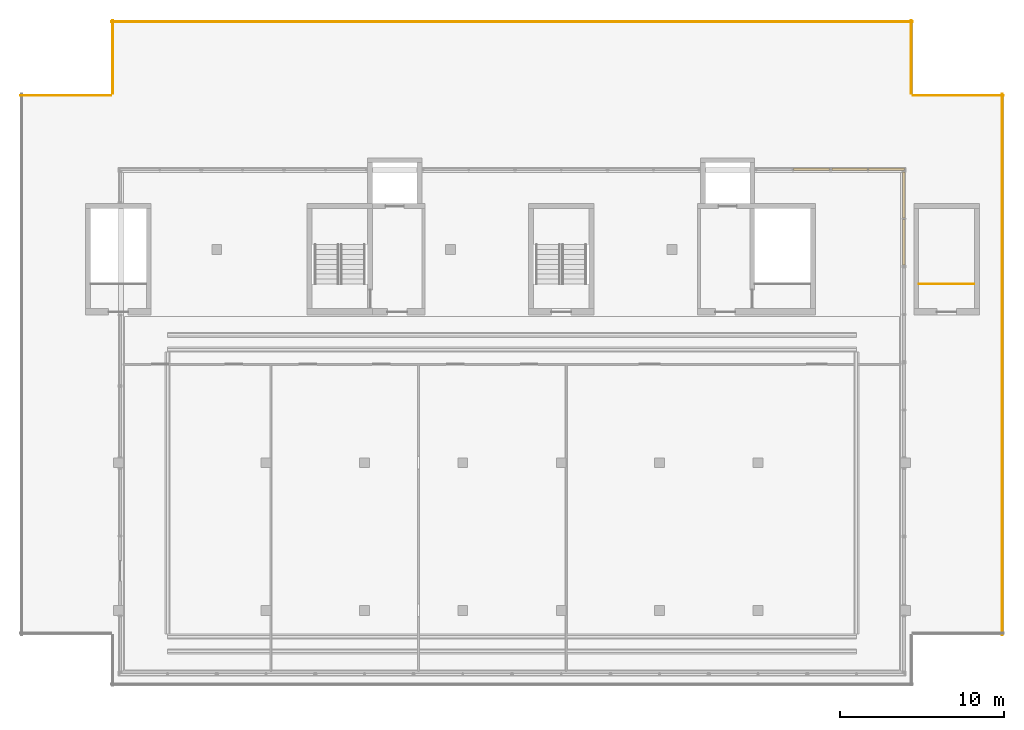
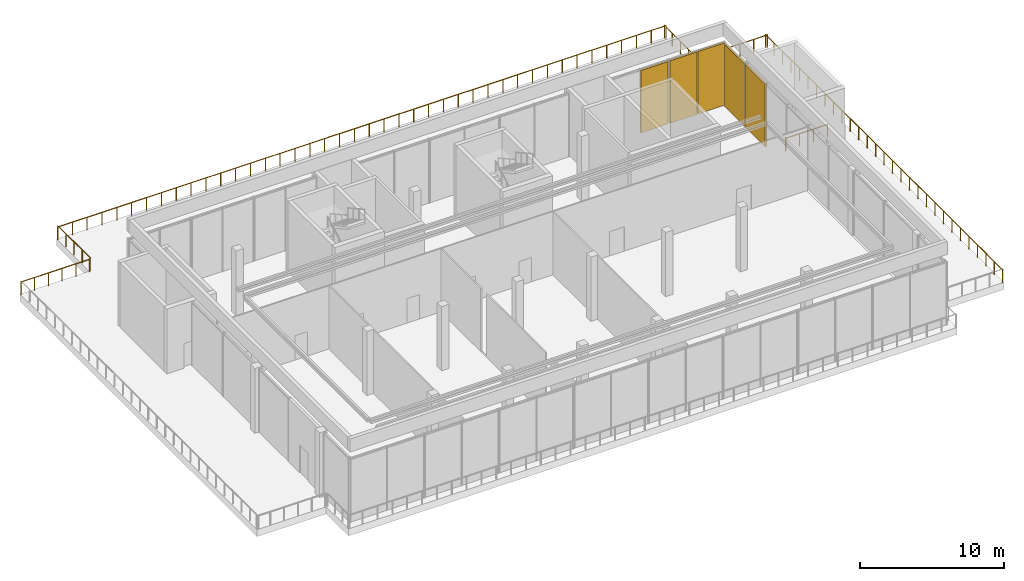
# One storey, part 11 of 11: 7 railings, 5 shading devices, 3 elements without a shape of their own.
"""IFC4 building model written with IfcOpenShell, lengths in metres."""

from ifc_helpers import new_model, si_unit, direction, frame, origin, origin_2d, place, context, subcontext, project, spatial, rectangle, circle, extrude, material, layer, layer_set, type_object, element, aggregate, save


model = new_model("IFC4")

# Units and contexts
model_context = context("Model", 3, precision=1e-05, world=origin(), true_north=direction((0.0, 1.0)))
body_context = subcontext(model_context, "Body", "Model", "MODEL_VIEW")
ifc_project = project(units=[si_unit("LENGTHUNIT", "METRE"), si_unit("AREAUNIT", "SQUARE_METRE"), si_unit("VOLUMEUNIT", "CUBIC_METRE"), si_unit("PLANEANGLEUNIT", "RADIAN"), si_unit("MASSUNIT", "GRAM", prefix="KILO")], contexts=[model_context])

# Site, building, storey
site_placement = place(None, origin())
site = spatial("IfcSite", under=ifc_project, at=site_placement, CompositionType="ELEMENT")
building_placement = place(site_placement, origin())
building = spatial("IfcBuilding", under=site, at=building_placement, Name="Calvaro Tower", CompositionType="ELEMENT")
storey_placement = place(building_placement, frame((0.0, 0.0, 271.949951171875)))
storey = spatial("IfcBuildingStorey", under=building, at=storey_placement, Name="L68", CompositionType="ELEMENT", Elevation=271.949951171875)

# Railings
ifc_material_1 = material(Name="Stainless steel", Category="steel")
railing_type_1 = type_object("IfcRailingType", Name="Guard 1100", PredefinedType="GUARDRAIL", material=ifc_material_1)
railing_1_placement = place(storey_placement, frame((6.0, 41.39990234375, 0.0)))
element("IfcRailing", 1, at=railing_1_placement, inside=storey, type_object=railing_type_1, Name="Deck guard", PredefinedType="GUARDRAIL", context=body_context, shape_type="SweptSolid", body=[
    extrude(circle(Radius=0.02392578125, at=origin_2d()), frame((0.0, 0.0, 1.076171875), z_axis=(1.0, 0.0, 0.0), x_axis=(0.0, 1.0, 0.0)), (0.0, 0.0, 1.0), 5.550048828125),
    extrude(circle(Radius=0.02099609375, at=origin_2d()), frame((0.02099609375, 0.0, 0.0)), (0.0, 0.0, 1.0), 1.052001953125),
    extrude(circle(Radius=0.02099609375, at=origin_2d()), frame((1.110107421875, 0.0, 0.0)), (0.0, 0.0, 1.0), 1.052001953125),
    extrude(circle(Radius=0.02099609375, at=origin_2d()), frame((2.219970703125, 0.0, 0.0)), (0.0, 0.0, 1.0), 1.052001953125),
    extrude(circle(Radius=0.02099609375, at=origin_2d()), frame((3.330078125, 0.0, 0.0)), (0.0, 0.0, 1.0), 1.052001953125),
    extrude(circle(Radius=0.02099609375, at=origin_2d()), frame((4.43994140625, 0.0, 0.0)), (0.0, 0.0, 1.0), 1.052001953125),
    extrude(circle(Radius=0.02099609375, at=origin_2d()), frame((5.529052734375, 0.0, 0.0)), (0.0, 0.0, 1.0), 1.052001953125),
])
railing_2_placement = place(storey_placement, frame((11.64990234375, 41.5, 0.0)))
element("IfcRailing", 2, at=railing_2_placement, inside=storey, type_object=railing_type_1, Name="Deck guard", PredefinedType="GUARDRAIL", context=body_context, shape_type="SweptSolid", body=[
    extrude(circle(Radius=0.02392578125, at=origin_2d()), frame((0.0, 0.0, 1.076171875), z_axis=(0.0, 1.0, 0.0), x_axis=(-1.0, 0.0, 0.0)), (0.0, 0.0, 1.0), 4.5),
    extrude(circle(Radius=0.02099609375, at=origin_2d()), frame((0.0, 0.02099609375, 0.0)), (0.0, 0.0, 1.0), 1.052001953125),
    extrude(circle(Radius=0.02099609375, at=origin_2d()), frame((0.0, 1.125, 0.0)), (0.0, 0.0, 1.0), 1.052001953125),
    extrude(circle(Radius=0.02099609375, at=origin_2d()), frame((0.0, 2.25, 0.0)), (0.0, 0.0, 1.0), 1.052001953125),
    extrude(circle(Radius=0.02099609375, at=origin_2d()), frame((0.0, 3.375, 0.0)), (0.0, 0.0, 1.0), 1.052001953125),
    extrude(circle(Radius=0.02099609375, at=origin_2d()), frame((0.0, 4.47900390625, 0.0)), (0.0, 0.0, 1.0), 1.052001953125),
])
railing_3_placement = place(storey_placement, frame((11.550048828125, 45.89990234375, 0.0)))
element("IfcRailing", 3, at=railing_3_placement, inside=storey, type_object=railing_type_1, Name="Deck guard", PredefinedType="GUARDRAIL", context=body_context, shape_type="SweptSolid", body=[
    extrude(circle(Radius=0.02392578125, at=origin_2d()), frame((0.0, 0.0, 1.076171875), z_axis=(1.0, 0.0, 0.0), x_axis=(0.0, 1.0, 0.0)), (0.0, 0.0, 1.0), 48.89990234375),
    extrude(circle(Radius=0.02099609375, at=origin_2d()), frame((0.02099609375, 0.0, 0.0)), (0.0, 0.0, 1.0), 1.052001953125),
    extrude(circle(Radius=0.02099609375, at=origin_2d()), frame((1.192626953125, 0.0, 0.0)), (0.0, 0.0, 1.0), 1.052001953125),
    extrude(circle(Radius=0.02099609375, at=origin_2d()), frame((2.38525390625, 0.0, 0.0)), (0.0, 0.0, 1.0), 1.052001953125),
    extrude(circle(Radius=0.02099609375, at=origin_2d()), frame((3.578125, 0.0, 0.0)), (0.0, 0.0, 1.0), 1.052001953125),
    extrude(circle(Radius=0.02099609375, at=origin_2d()), frame((4.770751953125, 0.0, 0.0)), (0.0, 0.0, 1.0), 1.052001953125),
    extrude(circle(Radius=0.02099609375, at=origin_2d()), frame((5.96337890625, 0.0, 0.0)), (0.0, 0.0, 1.0), 1.052001953125),
    extrude(circle(Radius=0.02099609375, at=origin_2d()), frame((7.156005859375, 0.0, 0.0)), (0.0, 0.0, 1.0), 1.052001953125),
    extrude(circle(Radius=0.02099609375, at=origin_2d()), frame((8.348876953125, 0.0, 0.0)), (0.0, 0.0, 1.0), 1.052001953125),
    extrude(circle(Radius=0.02099609375, at=origin_2d()), frame((9.54150390625, 0.0, 0.0)), (0.0, 0.0, 1.0), 1.052001953125),
    extrude(circle(Radius=0.02099609375, at=origin_2d()), frame((10.734130859375, 0.0, 0.0)), (0.0, 0.0, 1.0), 1.052001953125),
    extrude(circle(Radius=0.02099609375, at=origin_2d()), frame((11.9267578125, 0.0, 0.0)), (0.0, 0.0, 1.0), 1.052001953125),
    extrude(circle(Radius=0.02099609375, at=origin_2d()), frame((13.119384765625, 0.0, 0.0)), (0.0, 0.0, 1.0), 1.052001953125),
    extrude(circle(Radius=0.02099609375, at=origin_2d()), frame((14.312255859375, 0.0, 0.0)), (0.0, 0.0, 1.0), 1.052001953125),
    extrude(circle(Radius=0.02099609375, at=origin_2d()), frame((15.5048828125, 0.0, 0.0)), (0.0, 0.0, 1.0), 1.052001953125),
    extrude(circle(Radius=0.02099609375, at=origin_2d()), frame((16.697509765625, 0.0, 0.0)), (0.0, 0.0, 1.0), 1.052001953125),
    extrude(circle(Radius=0.02099609375, at=origin_2d()), frame((17.89013671875, 0.0, 0.0)), (0.0, 0.0, 1.0), 1.052001953125),
    extrude(circle(Radius=0.02099609375, at=origin_2d()), frame((19.0830078125, 0.0, 0.0)), (0.0, 0.0, 1.0), 1.052001953125),
    extrude(circle(Radius=0.02099609375, at=origin_2d()), frame((20.275634765625, 0.0, 0.0)), (0.0, 0.0, 1.0), 1.052001953125),
    extrude(circle(Radius=0.02099609375, at=origin_2d()), frame((21.46826171875, 0.0, 0.0)), (0.0, 0.0, 1.0), 1.052001953125),
    extrude(circle(Radius=0.02099609375, at=origin_2d()), frame((22.660888671875, 0.0, 0.0)), (0.0, 0.0, 1.0), 1.052001953125),
    extrude(circle(Radius=0.02099609375, at=origin_2d()), frame((23.853515625, 0.0, 0.0)), (0.0, 0.0, 1.0), 1.052001953125),
    extrude(circle(Radius=0.02099609375, at=origin_2d()), frame((25.04638671875, 0.0, 0.0)), (0.0, 0.0, 1.0), 1.052001953125),
    extrude(circle(Radius=0.02099609375, at=origin_2d()), frame((26.239013671875, 0.0, 0.0)), (0.0, 0.0, 1.0), 1.052001953125),
    extrude(circle(Radius=0.02099609375, at=origin_2d()), frame((27.431640625, 0.0, 0.0)), (0.0, 0.0, 1.0), 1.052001953125),
    extrude(circle(Radius=0.02099609375, at=origin_2d()), frame((28.624267578125, 0.0, 0.0)), (0.0, 0.0, 1.0), 1.052001953125),
    extrude(circle(Radius=0.02099609375, at=origin_2d()), frame((29.81689453125, 0.0, 0.0)), (0.0, 0.0, 1.0), 1.052001953125),
    extrude(circle(Radius=0.02099609375, at=origin_2d()), frame((31.009765625, 0.0, 0.0)), (0.0, 0.0, 1.0), 1.052001953125),
    extrude(circle(Radius=0.02099609375, at=origin_2d()), frame((32.202392578125, 0.0, 0.0)), (0.0, 0.0, 1.0), 1.052001953125),
    extrude(circle(Radius=0.02099609375, at=origin_2d()), frame((33.39501953125, 0.0, 0.0)), (0.0, 0.0, 1.0), 1.052001953125),
    extrude(circle(Radius=0.02099609375, at=origin_2d()), frame((34.587646484375, 0.0, 0.0)), (0.0, 0.0, 1.0), 1.052001953125),
    extrude(circle(Radius=0.02099609375, at=origin_2d()), frame((35.780517578125, 0.0, 0.0)), (0.0, 0.0, 1.0), 1.052001953125),
    extrude(circle(Radius=0.02099609375, at=origin_2d()), frame((36.97314453125, 0.0, 0.0)), (0.0, 0.0, 1.0), 1.052001953125),
    extrude(circle(Radius=0.02099609375, at=origin_2d()), frame((38.165771484375, 0.0, 0.0)), (0.0, 0.0, 1.0), 1.052001953125),
    extrude(circle(Radius=0.02099609375, at=origin_2d()), frame((39.3583984375, 0.0, 0.0)), (0.0, 0.0, 1.0), 1.052001953125),
    extrude(circle(Radius=0.02099609375, at=origin_2d()), frame((40.551025390625, 0.0, 0.0)), (0.0, 0.0, 1.0), 1.052001953125),
    extrude(circle(Radius=0.02099609375, at=origin_2d()), frame((41.743896484375, 0.0, 0.0)), (0.0, 0.0, 1.0), 1.052001953125),
    extrude(circle(Radius=0.02099609375, at=origin_2d()), frame((42.9365234375, 0.0, 0.0)), (0.0, 0.0, 1.0), 1.052001953125),
    extrude(circle(Radius=0.02099609375, at=origin_2d()), frame((44.129150390625, 0.0, 0.0)), (0.0, 0.0, 1.0), 1.052001953125),
    extrude(circle(Radius=0.02099609375, at=origin_2d()), frame((45.32177734375, 0.0, 0.0)), (0.0, 0.0, 1.0), 1.052001953125),
    extrude(circle(Radius=0.02099609375, at=origin_2d()), frame((46.5146484375, 0.0, 0.0)), (0.0, 0.0, 1.0), 1.052001953125),
    extrude(circle(Radius=0.02099609375, at=origin_2d()), frame((47.707275390625, 0.0, 0.0)), (0.0, 0.0, 1.0), 1.052001953125),
    extrude(circle(Radius=0.02099609375, at=origin_2d()), frame((48.87890625, 0.0, 0.0)), (0.0, 0.0, 1.0), 1.052001953125),
])
railing_4_placement = place(storey_placement, frame((60.35009765625, 46.0, 0.0)))
element("IfcRailing", 4, at=railing_4_placement, inside=storey, type_object=railing_type_1, Name="Deck guard", PredefinedType="GUARDRAIL", context=body_context, shape_type="SweptSolid", body=[
    extrude(circle(Radius=0.02392578125, at=origin_2d()), frame((0.0, 0.0, 1.076171875), z_axis=(0.0, -1.0, 0.0), x_axis=(1.0, 0.0, 0.0)), (0.0, 0.0, 1.0), 4.5),
    extrude(circle(Radius=0.02099609375, at=origin_2d()), frame((0.0, -0.02099609375, 0.0)), (0.0, 0.0, 1.0), 1.052001953125),
    extrude(circle(Radius=0.02099609375, at=origin_2d()), frame((0.0, -1.125, 0.0)), (0.0, 0.0, 1.0), 1.052001953125),
    extrude(circle(Radius=0.02099609375, at=origin_2d()), frame((0.0, -2.25, 0.0)), (0.0, 0.0, 1.0), 1.052001953125),
    extrude(circle(Radius=0.02099609375, at=origin_2d()), frame((0.0, -3.375, 0.0)), (0.0, 0.0, 1.0), 1.052001953125),
    extrude(circle(Radius=0.02099609375, at=origin_2d()), frame((0.0, -4.47900390625, 0.0)), (0.0, 0.0, 1.0), 1.052001953125),
])
railing_5_placement = place(storey_placement, frame((60.449951171875, 41.39990234375, 0.0)))
element("IfcRailing", 5, at=railing_5_placement, inside=storey, type_object=railing_type_1, Name="Deck guard", PredefinedType="GUARDRAIL", context=body_context, shape_type="SweptSolid", body=[
    extrude(circle(Radius=0.02392578125, at=origin_2d()), frame((0.0, 0.0, 1.076171875), z_axis=(1.0, 0.0, 0.0), x_axis=(0.0, 1.0, 0.0)), (0.0, 0.0, 1.0), 5.550048828125),
    extrude(circle(Radius=0.02099609375, at=origin_2d()), frame((0.02099609375, 0.0, 0.0)), (0.0, 0.0, 1.0), 1.052001953125),
    extrude(circle(Radius=0.02099609375, at=origin_2d()), frame((1.110107421875, 0.0, 0.0)), (0.0, 0.0, 1.0), 1.052001953125),
    extrude(circle(Radius=0.02099609375, at=origin_2d()), frame((2.219970703125, 0.0, 0.0)), (0.0, 0.0, 1.0), 1.052001953125),
    extrude(circle(Radius=0.02099609375, at=origin_2d()), frame((3.330078125, 0.0, 0.0)), (0.0, 0.0, 1.0), 1.052001953125),
    extrude(circle(Radius=0.02099609375, at=origin_2d()), frame((4.43994140625, 0.0, 0.0)), (0.0, 0.0, 1.0), 1.052001953125),
    extrude(circle(Radius=0.02099609375, at=origin_2d()), frame((5.529052734375, 0.0, 0.0)), (0.0, 0.0, 1.0), 1.052001953125),
])
railing_6_placement = place(storey_placement, frame((65.89990234375, 41.5, 0.0)))
element("IfcRailing", 6, at=railing_6_placement, inside=storey, type_object=railing_type_1, Name="Deck guard", PredefinedType="GUARDRAIL", context=body_context, shape_type="SweptSolid", body=[
    extrude(circle(Radius=0.02392578125, at=origin_2d()), frame((0.0, 0.0, 1.076171875), z_axis=(0.0, -1.0, 0.0), x_axis=(1.0, 0.0, 0.0)), (0.0, 0.0, 1.0), 33.0),
    extrude(circle(Radius=0.02099609375, at=origin_2d()), frame((0.0, -0.02099609375, 0.0)), (0.0, 0.0, 1.0), 1.052001953125),
    extrude(circle(Radius=0.02099609375, at=origin_2d()), frame((0.0, -1.178466796875, 0.0)), (0.0, 0.0, 1.0), 1.052001953125),
    extrude(circle(Radius=0.02099609375, at=origin_2d()), frame((0.0, -2.357177734375, 0.0)), (0.0, 0.0, 1.0), 1.052001953125),
    extrude(circle(Radius=0.02099609375, at=origin_2d()), frame((0.0, -3.53564453125, 0.0)), (0.0, 0.0, 1.0), 1.052001953125),
    extrude(circle(Radius=0.02099609375, at=origin_2d()), frame((0.0, -4.71435546875, 0.0)), (0.0, 0.0, 1.0), 1.052001953125),
    extrude(circle(Radius=0.02099609375, at=origin_2d()), frame((0.0, -5.892822265625, 0.0)), (0.0, 0.0, 1.0), 1.052001953125),
    extrude(circle(Radius=0.02099609375, at=origin_2d()), frame((0.0, -7.071533203125, 0.0)), (0.0, 0.0, 1.0), 1.052001953125),
    extrude(circle(Radius=0.02099609375, at=origin_2d()), frame((0.0, -8.25, 0.0)), (0.0, 0.0, 1.0), 1.052001953125),
    extrude(circle(Radius=0.02099609375, at=origin_2d()), frame((0.0, -9.428466796875, 0.0)), (0.0, 0.0, 1.0), 1.052001953125),
    extrude(circle(Radius=0.02099609375, at=origin_2d()), frame((0.0, -10.607177734375, 0.0)), (0.0, 0.0, 1.0), 1.052001953125),
    extrude(circle(Radius=0.02099609375, at=origin_2d()), frame((0.0, -11.78564453125, 0.0)), (0.0, 0.0, 1.0), 1.052001953125),
    extrude(circle(Radius=0.02099609375, at=origin_2d()), frame((0.0, -12.96435546875, 0.0)), (0.0, 0.0, 1.0), 1.052001953125),
    extrude(circle(Radius=0.02099609375, at=origin_2d()), frame((0.0, -14.142822265625, 0.0)), (0.0, 0.0, 1.0), 1.052001953125),
    extrude(circle(Radius=0.02099609375, at=origin_2d()), frame((0.0, -15.321533203125, 0.0)), (0.0, 0.0, 1.0), 1.052001953125),
    extrude(circle(Radius=0.02099609375, at=origin_2d()), frame((0.0, -16.5, 0.0)), (0.0, 0.0, 1.0), 1.052001953125),
    extrude(circle(Radius=0.02099609375, at=origin_2d()), frame((0.0, -17.678466796875, 0.0)), (0.0, 0.0, 1.0), 1.052001953125),
    extrude(circle(Radius=0.02099609375, at=origin_2d()), frame((0.0, -18.857177734375, 0.0)), (0.0, 0.0, 1.0), 1.052001953125),
    extrude(circle(Radius=0.02099609375, at=origin_2d()), frame((0.0, -20.03564453125, 0.0)), (0.0, 0.0, 1.0), 1.052001953125),
    extrude(circle(Radius=0.02099609375, at=origin_2d()), frame((0.0, -21.21435546875, 0.0)), (0.0, 0.0, 1.0), 1.052001953125),
    extrude(circle(Radius=0.02099609375, at=origin_2d()), frame((0.0, -22.392822265625, 0.0)), (0.0, 0.0, 1.0), 1.052001953125),
    extrude(circle(Radius=0.02099609375, at=origin_2d()), frame((0.0, -23.571533203125, 0.0)), (0.0, 0.0, 1.0), 1.052001953125),
    extrude(circle(Radius=0.02099609375, at=origin_2d()), frame((0.0, -24.75, 0.0)), (0.0, 0.0, 1.0), 1.052001953125),
    extrude(circle(Radius=0.02099609375, at=origin_2d()), frame((0.0, -25.928466796875, 0.0)), (0.0, 0.0, 1.0), 1.052001953125),
    extrude(circle(Radius=0.02099609375, at=origin_2d()), frame((0.0, -27.107177734375, 0.0)), (0.0, 0.0, 1.0), 1.052001953125),
    extrude(circle(Radius=0.02099609375, at=origin_2d()), frame((0.0, -28.28564453125, 0.0)), (0.0, 0.0, 1.0), 1.052001953125),
    extrude(circle(Radius=0.02099609375, at=origin_2d()), frame((0.0, -29.46435546875, 0.0)), (0.0, 0.0, 1.0), 1.052001953125),
    extrude(circle(Radius=0.02099609375, at=origin_2d()), frame((0.0, -30.642822265625, 0.0)), (0.0, 0.0, 1.0), 1.052001953125),
    extrude(circle(Radius=0.02099609375, at=origin_2d()), frame((0.0, -31.821533203125, 0.0)), (0.0, 0.0, 1.0), 1.052001953125),
    extrude(circle(Radius=0.02099609375, at=origin_2d()), frame((0.0, -32.97900390625, 0.0)), (0.0, 0.0, 1.0), 1.052001953125),
])

# Curtain wall, shading device
ifc_material_2 = material(Name="Anodised aluminium", Category="aluminium")
curtain_wall_type = type_object("IfcCurtainWallType", Name="Louvre wall", PredefinedType="NOTDEFINED", material=ifc_material_2)
curtain_wall_1_placement = place(storey_placement, origin())
curtain_wall_1 = element("IfcCurtainWall", 7, at=curtain_wall_1_placement, inside=storey, type_object=curtain_wall_type, Name="CW8 drum louvre wall", PredefinedType="NOTDEFINED")
ifc_material_3 = material(Name="Aluminium", Category="aluminium")
ifc_layer = layer(ifc_material_3, 0.14990234375)
ifc_layer_set = layer_set([ifc_layer], Name="Aluminium")
shading_device_type = type_object("IfcShadingDeviceType", Name="Louvre panel LV 150", PredefinedType="JALOUSIE", material=ifc_layer_set)
shading_device_1_placement = place(storey_placement, frame((54.26123046875, 36.89990234375, 0.0), z_axis=(0.0, 0.0, 1.0), x_axis=(1.0, 0.0, 0.0)))
shading_device_1 = element("IfcShadingDevice", 8, at=shading_device_1_placement, type_object=shading_device_type, Name="CW8 louvre panel 2.1", PredefinedType="JALOUSIE", context=body_context, shape_type="SweptSolid", body=[
    extrude(rectangle(XDim=2.16748046875, YDim=0.14990234375, at=origin_2d()), origin(), (0.0, 0.0, 1.0), 5.300048828125),
])
aggregate(curtain_wall_1, [shading_device_1])

# Curtain wall, shading devices
curtain_wall_2_placement = place(storey_placement, origin())
curtain_wall_2 = element("IfcCurtainWall", 9, at=curtain_wall_2_placement, inside=storey, type_object=curtain_wall_type, Name="CW8 drum louvre wall", PredefinedType="NOTDEFINED")
shading_device_2_placement = place(storey_placement, frame((56.5888671875, 36.89990234375, 0.0), z_axis=(0.0, 0.0, 1.0), x_axis=(1.0, 0.0, 0.0)))
shading_device_2 = element("IfcShadingDevice", 10, at=shading_device_2_placement, type_object=shading_device_type, Name="CW8 louvre panel 1.1", PredefinedType="JALOUSIE", context=body_context, shape_type="SweptSolid", body=[
    extrude(rectangle(XDim=2.16748046875, YDim=0.14990234375, at=origin_2d()), origin(), (0.0, 0.0, 1.0), 5.300048828125),
])
shading_device_3_placement = place(storey_placement, frame((58.836181640625, 36.89990234375, 0.0), z_axis=(0.0, 0.0, 1.0), x_axis=(1.0, 0.0, 0.0)))
shading_device_3 = element("IfcShadingDevice", 11, at=shading_device_3_placement, type_object=shading_device_type, Name="CW8 louvre panel 2.1", PredefinedType="JALOUSIE", context=body_context, shape_type="SweptSolid", body=[
    extrude(rectangle(XDim=2.16748046875, YDim=0.14990234375, at=origin_2d()), origin(), (0.0, 0.0, 1.0), 5.300048828125),
])
aggregate(curtain_wall_2, [shading_device_2, shading_device_3])

curtain_wall_3_placement = place(storey_placement, origin())
curtain_wall_3 = element("IfcCurtainWall", 12, at=curtain_wall_3_placement, inside=storey, type_object=curtain_wall_type, Name="CW8 drum louvre wall", PredefinedType="NOTDEFINED")
shading_device_4_placement = place(storey_placement, frame((59.89990234375, 32.445068359375, 0.0), z_axis=(0.0, 0.0, 1.0), x_axis=(0.0, 1.0, 0.0)))
shading_device_4 = element("IfcShadingDevice", 13, at=shading_device_4_placement, type_object=shading_device_type, Name="CW8 louvre panel 1.1", PredefinedType="JALOUSIE", context=body_context, shape_type="SweptSolid", body=[
    extrude(rectangle(XDim=2.796630859375, YDim=0.14990234375, at=origin_2d()), origin(), (0.0, 0.0, 1.0), 5.300048828125),
])
shading_device_5_placement = place(storey_placement, frame((59.89990234375, 35.32177734375, 0.0), z_axis=(0.0, 0.0, 1.0), x_axis=(0.0, 1.0, 0.0)))
shading_device_5 = element("IfcShadingDevice", 14, at=shading_device_5_placement, type_object=shading_device_type, Name="CW8 louvre panel 2.1", PredefinedType="JALOUSIE", context=body_context, shape_type="SweptSolid", body=[
    extrude(rectangle(XDim=2.796630859375, YDim=0.14990234375, at=origin_2d()), origin(), (0.0, 0.0, 1.0), 5.300048828125),
])
aggregate(curtain_wall_3, [shading_device_4, shading_device_5])

# Railing
ifc_material_4 = material(Name="Stainless steel", Category="steel")
railing_type_2 = type_object("IfcRailingType", Name="Stair top guard", PredefinedType="GUARDRAIL", material=ifc_material_4)
railing_7_placement = place(storey_placement, frame((60.800048828125, 29.89990234375, 0.0)))
element("IfcRailing", 15, at=railing_7_placement, inside=storey, type_object=railing_type_2, Name="Exit stair 5 top guard", PredefinedType="GUARDRAIL", context=body_context, shape_type="SweptSolid", body=[
    extrude(circle(Radius=0.02392578125, at=origin_2d()), frame((0.0, 0.0, 1.076171875), z_axis=(1.0, 0.0, 0.0), x_axis=(0.0, 1.0, 0.0)), (0.0, 0.0, 1.0), 3.39990234375),
    extrude(circle(Radius=0.02099609375, at=origin_2d()), frame((0.02099609375, 0.0, 0.0)), (0.0, 0.0, 1.0), 1.052001953125),
    extrude(circle(Radius=0.02099609375, at=origin_2d()), frame((1.13330078125, 0.0, 0.0)), (0.0, 0.0, 1.0), 1.052001953125),
    extrude(circle(Radius=0.02099609375, at=origin_2d()), frame((2.2666015625, 0.0, 0.0)), (0.0, 0.0, 1.0), 1.052001953125),
    extrude(circle(Radius=0.02099609375, at=origin_2d()), frame((3.37890625, 0.0, 0.0)), (0.0, 0.0, 1.0), 1.052001953125),
])

save(model, "model.ifc")
